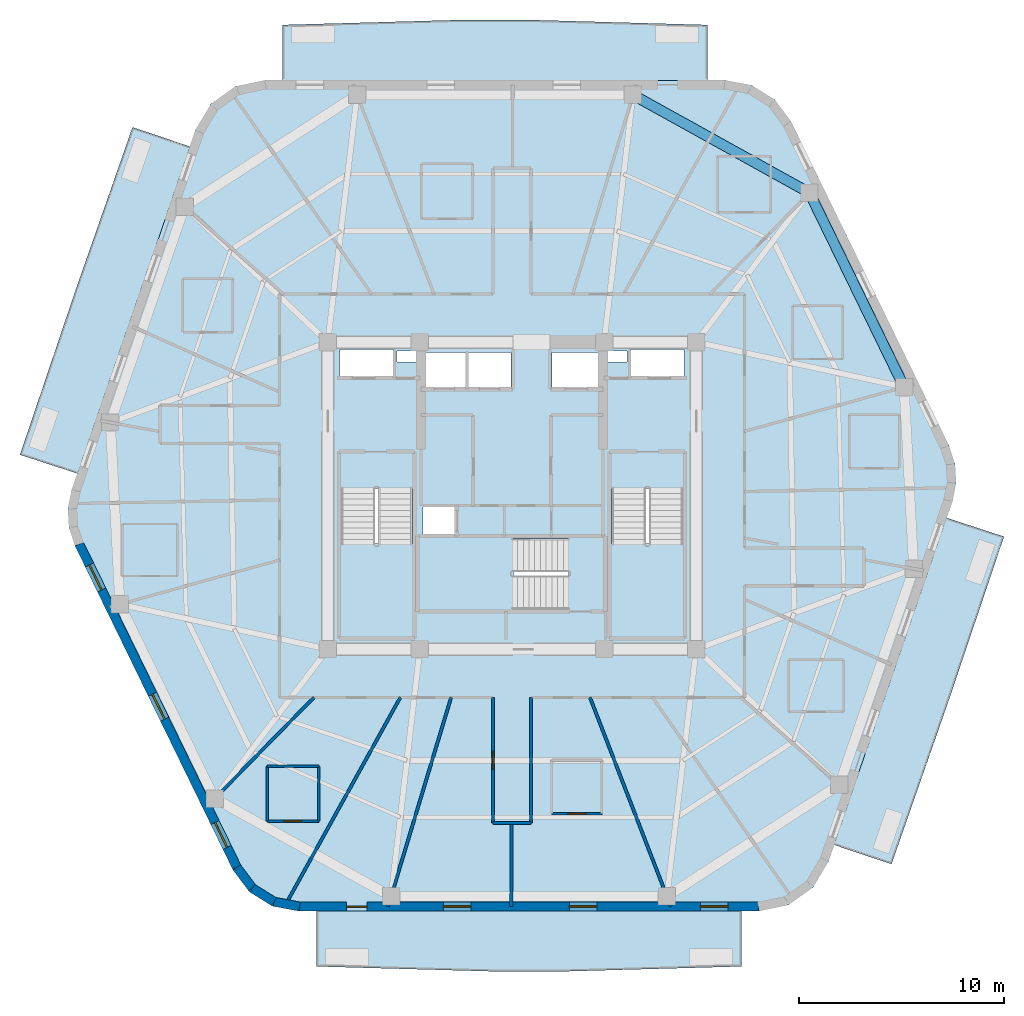
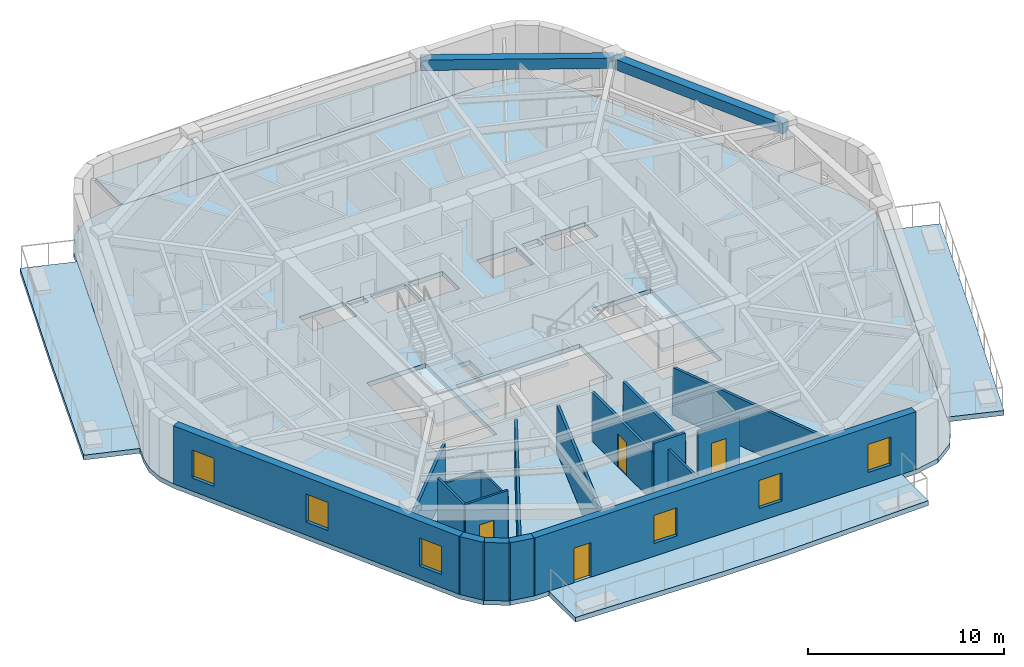
# One storey, part 2 of 9: 18 walls, 8 slabs, 6 windows, 4 doors, 2 beams, 10 openings, 3 elements without a shape of their own.
"""IFC4 building model written with IfcOpenShell, lengths in metres."""

from ifc_helpers import new_model, si_unit, direction, frame, frame_2d, origin, origin_2d, place, context, subcontext, project, spatial, polyline, rectangle, outline, extrude, material, layer, layer_set, material_profile, profile_set, type_object, element, fill, aggregate, save


model = new_model("IFC4")

# Units and contexts
model_context = context("Model", 3, precision=1e-05, world=origin(), true_north=direction((0.0, 1.0)))
body_context = subcontext(model_context, "Body", "Model", "MODEL_VIEW")
ifc_project = project(units=[si_unit("LENGTHUNIT", "METRE"), si_unit("AREAUNIT", "SQUARE_METRE"), si_unit("VOLUMEUNIT", "CUBIC_METRE"), si_unit("PLANEANGLEUNIT", "RADIAN"), si_unit("MASSUNIT", "GRAM", prefix="KILO")], contexts=[model_context])

# Site, building, storey
site_placement = place(None, origin())
site = spatial("IfcSite", under=ifc_project, at=site_placement, CompositionType="ELEMENT")
building_placement = place(site_placement, origin())
building = spatial("IfcBuilding", under=site, at=building_placement, Name="Kilnhurst Terrace Hotel", CompositionType="ELEMENT")
storey_placement = place(building_placement, frame((0.0, 0.0, 261.300048828125)))
storey = spatial("IfcBuildingStorey", under=building, at=storey_placement, Name="L65", CompositionType="ELEMENT", Elevation=261.300048828125)

# Beams
ifc_material_1 = material(Name="Concrete C50/60", Category="concrete")
ifc_material_profile = material_profile(ifc_material_1, rectangle(XDim=0.5, YDim=0.64990234375, at=origin_2d()), Name="RC500X650")
ifc_profile_set = profile_set([ifc_material_profile], Name="Concrete C50/60")
beam_type = type_object("IfcBeamType", Name="BM-SPN-500X650", PredefinedType="SPANDREL", material=ifc_profile_set)
beam_1_placement = place(storey_placement, frame((19.157958984375, 5.304931640625, 3.27490234375), z_axis=(-0.438128464895, 0.898912369616, 0.0), x_axis=(-0.898912369616, -0.438128464895, 0.0)))
element("IfcBeam", 1, at=beam_1_placement, inside=storey, type_object=beam_type, Name="L65 Perimeter Spandrel Beam 5", PredefinedType="SPANDREL", context=body_context, shape_type="SweptSolid", body=[
    extrude(rectangle(XDim=0.5, YDim=0.64990234375, at=origin_2d()), origin(), (0.0, 0.0, 1.0), 10.560791015625),
])
beam_2_placement = place(storey_placement, frame((14.531005859375, 14.798095703125, 3.27490234375), z_axis=(-0.874527255888, 0.484976369227, 0.0), x_axis=(-0.484976369227, -0.874527255888, 0.0)))
element("IfcBeam", 2, at=beam_2_placement, inside=storey, type_object=beam_type, Name="L65 Perimeter Spandrel Beam 6", PredefinedType="SPANDREL", context=body_context, shape_type="SweptSolid", body=[
    extrude(rectangle(XDim=0.5, YDim=0.64990234375, at=origin_2d()), origin(), (0.0, 0.0, 1.0), 9.8603515625),
])

# Slabs
ifc_layer_1 = layer(ifc_material_1, 0.300048828125, Name="Concrete C50/60")
ifc_layer_set_1 = layer_set([ifc_layer_1], Name="Concrete C50/60")
slab_type_1 = type_object("IfcSlabType", Name="SLB-BAL-300", PredefinedType="FLOOR", material=ifc_layer_set_1)
slab_1_placement = place(storey_placement, frame((0.0, 0.0, -0.300048828125)))
element("IfcSlab", 3, at=slab_1_placement, inside=storey, type_object=slab_type_1, Name="L65 Cantilevered Planted Terrace Slab BAL-L1A", PredefinedType="FLOOR", context=body_context, shape_type="SweptSolid", body=[
    extrude(outline(polyline([(2.62060546875, -23.239990234375), (-0.958984375, -23.239990234375), (-9.5498046875, -23.0), (-9.5498046875, -20.280029296875), (11.211669921875, -20.280029296875), (11.211669921875, -23.0), (2.62060546875, -23.239990234375)])), origin(), (0.0, 0.0, 1.0), 0.300048828125),
])
slab_2_placement = place(storey_placement, frame((0.0, 0.0, -0.300048828125)))
element("IfcSlab", 4, at=slab_2_placement, inside=storey, type_object=slab_type_1, Name="L65 Cantilevered Planted Terrace Slab BAL-L1B", PredefinedType="FLOOR", context=body_context, shape_type="SweptSolid", body=[
    extrude(outline(polyline([(18.541259765625, -18.0), (15.725341796875, -17.0556640625), (21.223388671875, -1.0791015625), (24.037353515625, -2.0), (21.317626953125, -10.054931640625), (18.541259765625, -18.0)])), origin(), (0.0, 0.0, 1.0), 0.300048828125),
])
slab_3_placement = place(storey_placement, frame((0.0, 0.0, -0.300048828125)))
element("IfcSlab", 5, at=slab_3_placement, inside=storey, type_object=slab_type_1, Name="L65 Cantilevered Planted Terrace Slab BAL-L2A", PredefinedType="FLOOR", context=body_context, shape_type="SweptSolid", body=[
    extrude(outline(polyline([(0.958984375, 23.239990234375), (9.5498046875, 23.0), (9.5498046875, 20.280029296875), (-11.211669921875, 20.280029296875), (-11.211669921875, 23.0), (-2.62060546875, 23.239990234375), (0.958984375, 23.239990234375)])), origin(), (0.0, 0.0, 1.0), 0.300048828125),
])
slab_4_placement = place(storey_placement, frame((0.0, 0.0, -0.300048828125)))
element("IfcSlab", 6, at=slab_4_placement, inside=storey, type_object=slab_type_1, Name="L65 Cantilevered Planted Terrace Slab BAL-L2B", PredefinedType="FLOOR", context=body_context, shape_type="SweptSolid", body=[
    extrude(outline(polyline([(-18.541259765625, 18.0), (-15.725341796875, 17.0556640625), (-21.223388671875, 1.0791015625), (-24.037353515625, 2.0), (-21.317626953125, 10.054931640625), (-18.541259765625, 18.0)])), origin(), (0.0, 0.0, 1.0), 0.300048828125),
])
ifc_layer_2 = layer(ifc_material_1, 0.280029296875, Name="Concrete C50/60")
ifc_layer_set_2 = layer_set([ifc_layer_2], Name="Concrete C50/60")
slab_type_2 = type_object("IfcSlabType", Name="SLB-FLR-280", PredefinedType="FLOOR", material=ifc_layer_set_2)
slab_5_placement = place(storey_placement, frame((0.0, 0.0, -0.280029296875)))
element("IfcSlab", 7, at=slab_5_placement, inside=storey, type_object=slab_type_2, Name="L65 Structural Floor Slab", PredefinedType="FLOOR", context=body_context, shape_type="SweptSolid", body=[
    extrude(outline(polyline([(-13.635986328125, -18.27734375), (-12.840087890625, -19.3466796875), (-11.709716796875, -20.05322265625), (-10.39990234375, -20.300048828125), (12.061767578125, -20.300048828125), (13.5068359375, -19.9970703125), (14.708984375, -19.139404296875), (15.4658203125, -17.871337890625), (21.51513671875, -0.29248046875), (21.7021484375, 0.627685546875), (21.64501953125, 1.565185546875), (21.34716796875, 2.4560546875), (13.635986328125, 18.27734375), (12.840087890625, 19.3466796875), (11.709716796875, 20.05322265625), (10.39990234375, 20.300048828125), (-12.061767578125, 20.300048828125), (-13.5068359375, 19.9970703125), (-14.708984375, 19.139404296875), (-15.4658203125, 17.871337890625), (-21.51513671875, 0.29248046875), (-21.7021484375, -0.627685546875), (-21.64501953125, -1.565185546875), (-21.34716796875, -2.4560546875), (-13.635986328125, -18.27734375)]), holes=[polyline([(-8.35009765625, 0.35498046875), (-4.8798828125, 0.35498046875), (-4.8798828125, -6.89990234375), (-8.35009765625, -6.89990234375), (-8.35009765625, 0.35498046875)]), polyline([(-2.800048828125, -1.89990234375), (-4.35009765625, -1.89990234375), (-4.35009765625, -0.550048828125), (-2.800048828125, -0.550048828125), (-2.800048828125, -1.89990234375)]), polyline([(-2.25, 5.25), (-4.300048828125, 5.25), (-4.300048828125, 7.0), (-2.25, 7.0), (-2.25, 5.25)]), polyline([(-2.1201171875, 5.25), (-2.1201171875, 7.0), (-0.050048828125, 7.0), (-0.050048828125, 5.25), (-2.1201171875, 5.25)]), polyline([(-8.39990234375, 5.75), (-8.39990234375, 7.14990234375), (-5.800048828125, 7.14990234375), (-5.800048828125, 5.75), (-8.39990234375, 5.75)]), polyline([(-4.659912109375, 6.52001953125), (-5.6201171875, 6.52001953125), (-5.6201171875, 7.080078125), (-4.659912109375, 7.080078125), (-4.659912109375, 6.52001953125)]), polyline([(2.7548828125, -5.550048828125), (-4.5, -5.550048828125), (-4.5, -2.080078125), (2.7548828125, -2.080078125), (2.7548828125, -5.550048828125)]), polyline([(8.35009765625, 0.35498046875), (8.35009765625, -6.89990234375), (4.8798828125, -6.89990234375), (4.8798828125, 0.35498046875), (8.35009765625, 0.35498046875)]), polyline([(4.300048828125, 5.25), (1.949951171875, 5.25), (1.949951171875, 7.0), (4.300048828125, 7.0), (4.300048828125, 5.25)]), polyline([(5.800048828125, 5.75), (5.800048828125, 7.14990234375), (8.39990234375, 7.14990234375), (8.39990234375, 5.75), (5.800048828125, 5.75)]), polyline([(4.659912109375, 6.52001953125), (4.659912109375, 7.080078125), (5.6201171875, 7.080078125), (5.6201171875, 6.52001953125), (4.659912109375, 6.52001953125)])]), origin(), (0.0, 0.0, 1.0), 0.280029296875),
])

# Stair, slab
stair_type = type_object("IfcStairType", Name="STR-CORE-1660", PredefinedType="HALF_TURN_STAIR", material=ifc_material_1)
stair_1_placement = place(storey_placement, origin())
stair_1 = element("IfcStair", 8, at=stair_1_placement, inside=storey, type_object=stair_type, Name="L65 ST-1", PredefinedType="HALF_TURN_STAIR")
ifc_layer_3 = layer(ifc_material_1, 0.199951171875, Name="Concrete C50/60")
ifc_layer_set_3 = layer_set([ifc_layer_3], Name="Concrete C50/60")
slab_type_3 = type_object("IfcSlabType", Name="SLB-ST-LND-200", PredefinedType="LANDING", material=ifc_layer_set_3)
slab_6_placement = place(storey_placement, frame((0.0, 0.0, 1.75)))
slab_6 = element("IfcSlab", 9, at=slab_6_placement, type_object=slab_type_3, Name="ST-1 landing 1", PredefinedType="LANDING", context=body_context, shape_type="SweptSolid", body=[
    extrude(outline(polyline([(-8.429931640625, -2.330078125), (-4.800048828125, -2.330078125), (-4.800048828125, -6.97998046875), (-8.429931640625, -6.97998046875), (-8.429931640625, -2.330078125)])), origin(), (0.0, 0.0, 1.0), 0.199951171875),
])
aggregate(stair_1, [slab_6])

stair_2_placement = place(storey_placement, origin())
stair_2 = element("IfcStair", 10, at=stair_2_placement, inside=storey, type_object=stair_type, Name="L65 ST-2", PredefinedType="HALF_TURN_STAIR")
slab_7_placement = place(storey_placement, frame((0.0, 0.0, 1.75)))
slab_7 = element("IfcSlab", 11, at=slab_7_placement, type_object=slab_type_3, Name="ST-2 landing 1", PredefinedType="LANDING", context=body_context, shape_type="SweptSolid", body=[
    extrude(outline(polyline([(4.800048828125, -2.330078125), (8.429931640625, -2.330078125), (8.429931640625, -6.97998046875), (4.800048828125, -6.97998046875), (4.800048828125, -2.330078125)])), origin(), (0.0, 0.0, 1.0), 0.199951171875),
])
aggregate(stair_2, [slab_7])

stair_3_placement = place(storey_placement, origin())
stair_3 = element("IfcStair", 12, at=stair_3_placement, inside=storey, type_object=stair_type, Name="L65 ST-3", PredefinedType="HALF_TURN_STAIR")
slab_8_placement = place(storey_placement, frame((0.0, 0.0, 1.75)))
slab_8 = element("IfcSlab", 13, at=slab_8_placement, type_object=slab_type_3, Name="ST-3 landing 1", PredefinedType="LANDING", context=body_context, shape_type="SweptSolid", body=[
    extrude(outline(polyline([(0.070068359375, -2.0), (0.070068359375, -5.6298828125), (-4.580078125, -5.6298828125), (-4.580078125, -2.0), (0.070068359375, -2.0)])), origin(), (0.0, 0.0, 1.0), 0.199951171875),
])
aggregate(stair_3, [slab_8])

# Walls
ifc_material_2 = material(Name="Precast concrete C40/50", Category="concrete")
ifc_layer_4 = layer(ifc_material_2, 0.449951171875, Name="Precast concrete C40/50")
ifc_layer_set_4 = layer_set([ifc_layer_4], Name="Precast concrete C40/50")
wall_type_1 = type_object("IfcWallType", Name="WL-BRK-450", PredefinedType="SOLIDWALL", material=ifc_layer_set_4)
wall_1_placement = place(storey_placement, frame((-13.44287109375, -18.159912109375, 0.0), z_axis=(0.0, 0.0, 1.0), x_axis=(0.597042425808, -0.802209661987, 0.0)))
element("IfcWall", 14, at=wall_1_placement, inside=storey, type_object=wall_type_1, Name="L65 Rounded Corner Brick Wall C1.1", PredefinedType="SOLIDWALL", context=body_context, shape_type="SweptSolid", body=[
    extrude(rectangle(XDim=1.269775390625, YDim=0.449951171875, at=frame_2d((0.634765625, 0.0))), origin(), (0.0, 0.0, 1.0), 3.599853515625),
])
wall_2_placement = place(storey_placement, frame((-12.684814453125, -19.178466796875, 0.0), z_axis=(0.0, 0.0, 1.0), x_axis=(0.848031272749, -0.529946186362, 0.0)))
element("IfcWall", 15, at=wall_2_placement, inside=storey, type_object=wall_type_1, Name="L65 Rounded Corner Brick Wall C1.2", PredefinedType="SOLIDWALL", context=body_context, shape_type="SweptSolid", body=[
    extrude(rectangle(XDim=1.248046875, YDim=0.449951171875, at=frame_2d((0.6240234375, 0.0))), origin(), (0.0, 0.0, 1.0), 3.599853515625),
])
wall_3_placement = place(storey_placement, frame((-11.62646484375, -19.83984375, 0.0), z_axis=(0.0, 0.0, 1.0), x_axis=(0.982701956681, -0.185194126083, 0.0)))
element("IfcWall", 16, at=wall_3_placement, inside=storey, type_object=wall_type_1, Name="L65 Rounded Corner Brick Wall C1.3", PredefinedType="SOLIDWALL", context=body_context, shape_type="SweptSolid", body=[
    extrude(rectangle(XDim=1.26953125, YDim=0.449951171875, at=frame_2d((0.634765625, 0.0))), origin(), (0.0, 0.0, 1.0), 3.599853515625),
])

# Wall, openings, door, windows
wall_4_placement = place(storey_placement, frame((-10.37890625, -20.074951171875, 0.0), z_axis=(0.0, 0.0, 1.0), x_axis=(1.0, 0.0, 0.0)))
wall_4 = element("IfcWall", 17, at=wall_4_placement, inside=storey, type_object=wall_type_1, Name="L65 Exterior Brick Facade Wall F1", PredefinedType="SOLIDWALL", context=body_context, shape_type="SweptSolid", body=[
    extrude(rectangle(XDim=22.417236328125, YDim=0.449951171875, at=frame_2d((11.20849609375, 0.0))), origin(), (0.0, 0.0, 1.0), 3.599853515625),
])
opening_1_placement = place(wall_4_placement, frame((2.302001953125, 0.0, 0.0)))
opening_1 = element("IfcOpeningElement", 18, at=opening_1_placement, cuts=wall_4, Name="Opening BD-1000", PredefinedType="OPENING", context=body_context, shape_type="SweptSolid", body=[
    extrude(rectangle(XDim=1.0, YDim=2.14990234375, at=frame_2d((0.5, 1.074951171875))), frame((0.0, 0.23486328125, 0.0), z_axis=(0.0, -1.0, 0.0), x_axis=(1.0, 0.0, 0.0)), (0.0, 0.0, 1.0), 0.469970703125),
])
opening_2_placement = place(wall_4_placement, frame((7.02197265625, 0.0, 0.800048828125)))
opening_2 = element("IfcOpeningElement", 19, at=opening_2_placement, cuts=wall_4, Name="Opening W-06", PredefinedType="OPENING", context=body_context, shape_type="SweptSolid", body=[
    extrude(rectangle(XDim=1.35009765625, YDim=1.75, at=frame_2d((0.675048828125, 0.875))), frame((0.0, 0.23486328125, 0.0), z_axis=(0.0, -1.0, 0.0), x_axis=(1.0, 0.0, 0.0)), (0.0, 0.0, 1.0), 0.469970703125),
])
opening_3_placement = place(wall_4_placement, frame((13.179931640625, 0.0, 0.800048828125)))
opening_3 = element("IfcOpeningElement", 20, at=opening_3_placement, cuts=wall_4, Name="Opening W-06", PredefinedType="OPENING", context=body_context, shape_type="SweptSolid", body=[
    extrude(rectangle(XDim=1.35009765625, YDim=1.75, at=frame_2d((0.675048828125, 0.875))), frame((0.0, 0.23486328125, 0.0), z_axis=(0.0, -1.0, 0.0), x_axis=(1.0, 0.0, 0.0)), (0.0, 0.0, 1.0), 0.469970703125),
])
opening_4_placement = place(wall_4_placement, frame((19.5869140625, 0.0, 0.800048828125)))
opening_4 = element("IfcOpeningElement", 21, at=opening_4_placement, cuts=wall_4, Name="Opening W-06", PredefinedType="OPENING", context=body_context, shape_type="SweptSolid", body=[
    extrude(rectangle(XDim=1.35009765625, YDim=1.75, at=frame_2d((0.675048828125, 0.875))), frame((0.0, 0.23486328125, 0.0), z_axis=(0.0, -1.0, 0.0), x_axis=(1.0, 0.0, 0.0)), (0.0, 0.0, 1.0), 0.469970703125),
])
ifc_material_3 = material(Name="Thermally Broken Bronze Aluminium Alloy 6063-T6 and Laminated Glass", Category="aluminium")
door_type_1 = type_object("IfcDoorType", Name="DR-EXT-BAL-1000", OperationType="NOTDEFINED", PredefinedType="DOOR", material=ifc_material_3)
door_1_placement = place(opening_1_placement, origin())
door_1 = element("IfcDoor", 22, at=door_1_placement, inside=storey, type_object=door_type_1, Name="L65 Planted Balcony Door BAL-L1A", OperationType="SINGLE_SWING_LEFT", OverallHeight=2.14990234375, OverallWidth=1.0, PredefinedType="DOOR", context=body_context, shape_type="SweptSolid", body=[
    extrude(rectangle(XDim=1.0, YDim=2.14990234375, at=frame_2d((0.5, 1.074951171875))), frame((0.0, 0.02490234375, 0.0), z_axis=(0.0, -1.0, 0.0), x_axis=(1.0, 0.0, 0.0)), (0.0, 0.0, 1.0), 0.050048828125),
])
fill(opening_1, door_1)
ifc_material_4 = material(Name="Thermally Broken Bronze Aluminium Alloy 6063-T6 and Low-E Glass", Category="aluminium")
window_type = type_object("IfcWindowType", Name="WIN-1350X1750", PartitioningType="SINGLE_PANEL", PredefinedType="WINDOW", material=ifc_material_4)
window_1_placement = place(opening_2_placement, origin())
window_1 = element("IfcWindow", 23, at=window_1_placement, inside=storey, type_object=window_type, Name="L65 Deep-Set Masonry Window F1.1", OverallHeight=1.75, OverallWidth=1.35009765625, PartitioningType="SINGLE_PANEL", PredefinedType="WINDOW", context=body_context, shape_type="SweptSolid", body=[
    extrude(rectangle(XDim=1.35009765625, YDim=1.75, at=frame_2d((0.675048828125, 0.875))), frame((0.0, 0.030029296875, 0.0), z_axis=(0.0, -1.0, 0.0), x_axis=(1.0, 0.0, 0.0)), (0.0, 0.0, 1.0), 0.06005859375),
])
fill(opening_2, window_1)
window_2_placement = place(opening_3_placement, origin())
window_2 = element("IfcWindow", 24, at=window_2_placement, inside=storey, type_object=window_type, Name="L65 Deep-Set Masonry Window F1.2", OverallHeight=1.75, OverallWidth=1.35009765625, PartitioningType="SINGLE_PANEL", PredefinedType="WINDOW", context=body_context, shape_type="SweptSolid", body=[
    extrude(rectangle(XDim=1.35009765625, YDim=1.75, at=frame_2d((0.675048828125, 0.875))), frame((0.0, 0.030029296875, 0.0), z_axis=(0.0, -1.0, 0.0), x_axis=(1.0, 0.0, 0.0)), (0.0, 0.0, 1.0), 0.06005859375),
])
fill(opening_3, window_2)
window_3_placement = place(opening_4_placement, origin())
window_3 = element("IfcWindow", 25, at=window_3_placement, inside=storey, type_object=window_type, Name="L65 Deep-Set Masonry Window F1.3", OverallHeight=1.75, OverallWidth=1.35009765625, PartitioningType="SINGLE_PANEL", PredefinedType="WINDOW", context=body_context, shape_type="SweptSolid", body=[
    extrude(rectangle(XDim=1.35009765625, YDim=1.75, at=frame_2d((0.675048828125, 0.875))), frame((0.0, 0.030029296875, 0.0), z_axis=(0.0, -1.0, 0.0), x_axis=(1.0, 0.0, 0.0)), (0.0, 0.0, 1.0), 0.06005859375),
])
fill(opening_4, window_3)

# Wall, openings, windows
wall_5_placement = place(storey_placement, frame((-21.138427734375, -2.370849609375, 0.0), z_axis=(0.0, 0.0, 1.0), x_axis=(0.438128124058, -0.89891253574, 0.0)))
wall_5 = element("IfcWall", 26, at=wall_5_placement, inside=storey, type_object=wall_type_1, Name="L65 Exterior Brick Facade Wall F6", PredefinedType="SOLIDWALL", context=body_context, shape_type="SweptSolid", body=[
    extrude(rectangle(XDim=17.564697265625, YDim=0.449951171875, at=frame_2d((8.7822265625, 0.0))), origin(), (0.0, 0.0, 1.0), 3.599853515625),
])
opening_5_placement = place(wall_5_placement, frame((1.133056640625, 0.0, 0.800048828125)))
opening_5 = element("IfcOpeningElement", 27, at=opening_5_placement, cuts=wall_5, Name="Opening W-06", PredefinedType="OPENING", context=body_context, shape_type="SweptSolid", body=[
    extrude(rectangle(XDim=1.35009765625, YDim=1.75, at=frame_2d((0.675048828125, 0.875))), frame((0.0, 0.23486328125, 0.0), z_axis=(0.0, -1.0, 0.0), x_axis=(1.0, 0.0, 0.0)), (0.0, 0.0, 1.0), 0.469970703125),
])
opening_6_placement = place(wall_5_placement, frame((8.157958984375, 0.0, 0.800048828125)))
opening_6 = element("IfcOpeningElement", 28, at=opening_6_placement, cuts=wall_5, Name="Opening W-06", PredefinedType="OPENING", context=body_context, shape_type="SweptSolid", body=[
    extrude(rectangle(XDim=1.35009765625, YDim=1.75, at=frame_2d((0.675048828125, 0.875))), frame((0.0, 0.23486328125, 0.0), z_axis=(0.0, -1.0, 0.0), x_axis=(1.0, 0.0, 0.0)), (0.0, 0.0, 1.0), 0.469970703125),
])
opening_7_placement = place(wall_5_placement, frame((15.132080078125, 0.0, 0.800048828125)))
opening_7 = element("IfcOpeningElement", 29, at=opening_7_placement, cuts=wall_5, Name="Opening W-06", PredefinedType="OPENING", context=body_context, shape_type="SweptSolid", body=[
    extrude(rectangle(XDim=1.35009765625, YDim=1.75, at=frame_2d((0.675048828125, 0.875))), frame((0.0, 0.23486328125, 0.0), z_axis=(0.0, -1.0, 0.0), x_axis=(1.0, 0.0, 0.0)), (0.0, 0.0, 1.0), 0.469970703125),
])
window_4_placement = place(opening_5_placement, origin())
window_4 = element("IfcWindow", 30, at=window_4_placement, inside=storey, type_object=window_type, Name="L65 Deep-Set Masonry Window F6.1", OverallHeight=1.75, OverallWidth=1.35009765625, PartitioningType="SINGLE_PANEL", PredefinedType="WINDOW", context=body_context, shape_type="SweptSolid", body=[
    extrude(rectangle(XDim=1.35009765625, YDim=1.75, at=frame_2d((0.675048828125, 0.875))), frame((0.0, 0.030029296875, 0.0), z_axis=(0.0, -1.0, 0.0), x_axis=(1.0, 0.0, 0.0)), (0.0, 0.0, 1.0), 0.06005859375),
])
fill(opening_5, window_4)
window_5_placement = place(opening_6_placement, origin())
window_5 = element("IfcWindow", 31, at=window_5_placement, inside=storey, type_object=window_type, Name="L65 Deep-Set Masonry Window F6.2", OverallHeight=1.75, OverallWidth=1.35009765625, PartitioningType="SINGLE_PANEL", PredefinedType="WINDOW", context=body_context, shape_type="SweptSolid", body=[
    extrude(rectangle(XDim=1.35009765625, YDim=1.75, at=frame_2d((0.675048828125, 0.875))), frame((0.0, 0.030029296875, 0.0), z_axis=(0.0, -1.0, 0.0), x_axis=(1.0, 0.0, 0.0)), (0.0, 0.0, 1.0), 0.06005859375),
])
fill(opening_6, window_5)
window_6_placement = place(opening_7_placement, origin())
window_6 = element("IfcWindow", 32, at=window_6_placement, inside=storey, type_object=window_type, Name="L65 Deep-Set Masonry Window F6.3", OverallHeight=1.75, OverallWidth=1.35009765625, PartitioningType="SINGLE_PANEL", PredefinedType="WINDOW", context=body_context, shape_type="SweptSolid", body=[
    extrude(rectangle(XDim=1.35009765625, YDim=1.75, at=frame_2d((0.675048828125, 0.875))), frame((0.0, 0.030029296875, 0.0), z_axis=(0.0, -1.0, 0.0), x_axis=(1.0, 0.0, 0.0)), (0.0, 0.0, 1.0), 0.06005859375),
])
fill(opening_7, window_6)

# Walls
ifc_material_5 = material(Name="Acoustic Double-Gypsum Corridor Partition Assembly")
ifc_layer_5 = layer(ifc_material_5, 0.14990234375, Name="Acoustic Double-Gypsum Corridor Partition Assembly")
ifc_layer_set_5 = layer_set([ifc_layer_5], Name="Acoustic Double-Gypsum Corridor Partition Assembly")
wall_type_2 = type_object("IfcWallType", Name="WL-COR-150", PredefinedType="PARTITIONING", material=ifc_layer_set_5)
wall_6_placement = place(storey_placement, frame((0.919921875, -9.85009765625, 0.0), z_axis=(0.0, 0.0, 1.0), x_axis=(0.0, -1.0, 0.0)))
element("IfcWall", 33, at=wall_6_placement, inside=storey, type_object=wall_type_2, Name="L65 Interior Wall WL-L65-COR-17", PredefinedType="PARTITIONING", context=body_context, shape_type="SweptSolid", body=[
    extrude(rectangle(XDim=6.14990234375, YDim=0.14990234375, at=frame_2d((3.074951171875, 0.0))), origin(), (0.0, 0.0, 1.0), 3.04052734375),
])
wall_7_placement = place(storey_placement, frame((0.919921875, -16.0, 0.0), z_axis=(0.0, 0.0, 1.0), x_axis=(-1.0, 0.0, 0.0)))
element("IfcWall", 34, at=wall_7_placement, inside=storey, type_object=wall_type_2, Name="L65 Interior Wall WL-L65-COR-18", PredefinedType="PARTITIONING", context=body_context, shape_type="SweptSolid", body=[
    extrude(rectangle(XDim=1.83984375, YDim=0.14990234375, at=frame_2d((0.919921875, 0.0))), origin(), (0.0, 0.0, 1.0), 3.599853515625),
])

# Wall, opening, door
wall_8_placement = place(storey_placement, frame((-0.919921875, -16.0, 0.0), z_axis=(0.0, 0.0, 1.0), x_axis=(0.0, 1.0, 0.0)))
wall_8 = element("IfcWall", 35, at=wall_8_placement, inside=storey, type_object=wall_type_2, Name="L65 Interior Wall WL-L65-COR-19", PredefinedType="PARTITIONING", context=body_context, shape_type="SweptSolid", body=[
    extrude(rectangle(XDim=6.14990234375, YDim=0.14990234375, at=frame_2d((3.074951171875, 0.0))), origin(), (0.0, 0.0, 1.0), 3.04052734375),
])
opening_8_placement = place(wall_8_placement, frame((2.625, 0.0, 0.0)))
opening_8 = element("IfcOpeningElement", 36, at=opening_8_placement, cuts=wall_8, Name="Opening D-60C", PredefinedType="OPENING", context=body_context, shape_type="SweptSolid", body=[
    extrude(rectangle(XDim=0.89990234375, YDim=2.030029296875, at=frame_2d((0.449951171875, 1.01513671875))), frame((0.0, 0.0849609375, 0.0), z_axis=(0.0, -1.0, 0.0), x_axis=(1.0, 0.0, 0.0)), (0.0, 0.0, 1.0), 0.169921875),
])
ifc_material_6 = material(Name="Painted Solid-Core Service Fire Door")
door_type_2 = type_object("IfcDoorType", Name="DR-FD60-900", OperationType="NOTDEFINED", PredefinedType="DOOR", material=ifc_material_6)
door_2_placement = place(opening_8_placement, origin())
door_2 = element("IfcDoor", 37, at=door_2_placement, inside=storey, type_object=door_type_2, Name="L65 Executive Work Office Door 16", OperationType="SINGLE_SWING_RIGHT", OverallHeight=2.030029296875, OverallWidth=0.89990234375, PredefinedType="DOOR", context=body_context, shape_type="SweptSolid", body=[
    extrude(rectangle(XDim=0.89990234375, YDim=2.030029296875, at=frame_2d((0.449951171875, 1.01513671875))), frame((0.0, 0.02490234375, 0.0), z_axis=(0.0, -1.0, 0.0), x_axis=(1.0, 0.0, 0.0)), (0.0, 0.0, 1.0), 0.050048828125),
])
fill(opening_8, door_2)

# Walls
ifc_material_7 = material(Name="STC-58 Acoustic Twin-Frame Guestroom Demising Partition")
ifc_layer_6 = layer(ifc_material_7, 0.14990234375, Name="STC-58 Acoustic Twin-Frame Guestroom Demising Partition")
ifc_layer_set_6 = layer_set([ifc_layer_6], Name="STC-58 Acoustic Twin-Frame Guestroom Demising Partition")
wall_type_3 = type_object("IfcWallType", Name="WL-DEM-150", PredefinedType="PARTITIONING", material=ifc_layer_set_6)
wall_9_placement = place(storey_placement, frame((-9.67236328125, -9.85009765625, 0.0), z_axis=(0.0, 0.0, 1.0), x_axis=(-0.700629771301, -0.713524998558, 0.0)))
element("IfcWall", 38, at=wall_9_placement, inside=storey, type_object=wall_type_3, Name="L65 Interior Wall WL-L65-DEM-COL08-14-1", PredefinedType="PARTITIONING", context=body_context, shape_type="SweptSolid", body=[
    extrude(rectangle(XDim=7.45947265625, YDim=0.14990234375, at=frame_2d((3.729736328125, 0.0))), origin(), (0.0, 0.0, 1.0), 2.93994140625),
])
wall_10_placement = place(storey_placement, frame((-5.453857421875, -9.85009765625, 0.0), z_axis=(0.0, 0.0, 1.0), x_axis=(-0.48439420613, -0.874849846012, 0.0)))
element("IfcWall", 39, at=wall_10_placement, inside=storey, type_object=wall_type_3, Name="L65 Interior Wall WL-L65-DEM-MID08-15-1", PredefinedType="PARTITIONING", context=body_context, shape_type="SweptSolid", body=[
    extrude(rectangle(XDim=11.37548828125, YDim=0.14990234375, at=frame_2d((5.687744140625, 0.0))), origin(), (0.0, 0.0, 1.0), 2.93994140625),
])
wall_11_placement = place(storey_placement, frame((-2.97216796875, -9.85009765625, 0.0), z_axis=(0.0, 0.0, 1.0), x_axis=(-0.288872169679, -0.957367677324, 0.0)))
element("IfcWall", 40, at=wall_11_placement, inside=storey, type_object=wall_type_3, Name="L65 Interior Wall WL-L65-DEM-COL09-16-1", PredefinedType="PARTITIONING", context=body_context, shape_type="SweptSolid", body=[
    extrude(rectangle(XDim=10.68017578125, YDim=0.14990234375, at=frame_2d((5.340087890625, 0.0))), origin(), (0.0, 0.0, 1.0), 2.93994140625),
])
wall_12_placement = place(storey_placement, frame((-0.02880859375, -16.0, 0.0), z_axis=(0.0, 0.0, 1.0), x_axis=(-0.001797372928, -0.999998384724, 0.0)))
element("IfcWall", 41, at=wall_12_placement, inside=storey, type_object=wall_type_3, Name="L65 Interior Wall WL-L65-DEM-MID09-17-1", PredefinedType="PARTITIONING", context=body_context, shape_type="SweptSolid", body=[
    extrude(rectangle(XDim=4.074951171875, YDim=0.14990234375, at=frame_2d((2.03759765625, 0.0))), origin(), (0.0, 0.0, 1.0), 2.93994140625),
])
wall_13_placement = place(storey_placement, frame((3.8076171875, -9.85009765625, 0.0), z_axis=(0.0, 0.0, 1.0), x_axis=(0.360587327934, -0.932725457427, 0.0)))
element("IfcWall", 42, at=wall_13_placement, inside=storey, type_object=wall_type_3, Name="L65 Interior Wall WL-L65-DEM-COL10-18-1", PredefinedType="PARTITIONING", context=body_context, shape_type="SweptSolid", body=[
    extrude(rectangle(XDim=10.96240234375, YDim=0.14990234375, at=frame_2d((5.481201171875, 0.0))), origin(), (0.0, 0.0, 1.0), 2.93994140625),
])

# Wall, opening, door
ifc_material_8 = material(Name="120 mm Moisture-Resistant Tile-Backed Bathroom Partition")
ifc_layer_7 = layer(ifc_material_8, 0.1201171875, Name="120 mm Moisture-Resistant Tile-Backed Bathroom Partition")
ifc_layer_set_7 = layer_set([ifc_layer_7], Name="120 mm Moisture-Resistant Tile-Backed Bathroom Partition")
wall_type_4 = type_object("IfcWallType", Name="WL-PART-120", PredefinedType="PARTITIONING", material=ifc_layer_set_7)
wall_14_placement = place(storey_placement, frame((-11.958984375, -15.905029296875, 0.0), z_axis=(0.0, 0.0, 1.0), x_axis=(1.0, 0.0, 0.0)))
wall_14 = element("IfcWall", 43, at=wall_14_placement, inside=storey, type_object=wall_type_4, Name="L65 Interior Wall WL-L65-BTH-14-1", PredefinedType="PARTITIONING", context=body_context, shape_type="SweptSolid", body=[
    extrude(rectangle(XDim=2.52001953125, YDim=0.1201171875, at=frame_2d((1.260009765625, 0.0))), origin(), (0.0, 0.0, 1.0), 3.599853515625),
])
opening_9_placement = place(wall_14_placement, frame((0.8349609375, 0.0, 0.0)))
opening_9 = element("IfcOpeningElement", 44, at=opening_9_placement, cuts=wall_14, Name="Opening D-08A", PredefinedType="OPENING", context=body_context, shape_type="SweptSolid", body=[
    extrude(rectangle(XDim=0.85009765625, YDim=2.030029296875, at=frame_2d((0.425048828125, 1.01513671875))), frame((0.0, 0.070068359375, 0.0), z_axis=(0.0, -1.0, 0.0), x_axis=(1.0, 0.0, 0.0)), (0.0, 0.0, 1.0), 0.14013671875),
])
ifc_material_9 = material(Name="Moisture-Resistant Lacquered En-suite Bathroom Door")
door_type_3 = type_object("IfcDoorType", Name="DR-INT-850", OperationType="NOTDEFINED", PredefinedType="DOOR", material=ifc_material_9)
door_3_placement = place(opening_9_placement, origin())
door_3 = element("IfcDoor", 45, at=door_3_placement, inside=storey, type_object=door_type_3, Name="L65 En-suite Bathroom Door 14", OperationType="SINGLE_SWING_LEFT", OverallHeight=2.030029296875, OverallWidth=0.85009765625, PredefinedType="DOOR", context=body_context, shape_type="SweptSolid", body=[
    extrude(rectangle(XDim=0.85009765625, YDim=2.030029296875, at=frame_2d((0.425048828125, 1.01513671875))), frame((0.0, 0.02490234375, 0.0), z_axis=(0.0, -1.0, 0.0), x_axis=(1.0, 0.0, 0.0)), (0.0, 0.0, 1.0), 0.050048828125),
])
fill(opening_9, door_3)

# Walls
wall_15_placement = place(storey_placement, frame((-9.43896484375, -15.905029296875, 0.0), z_axis=(0.0, 0.0, 1.0), x_axis=(0.0, 1.0, 0.0)))
element("IfcWall", 46, at=wall_15_placement, inside=storey, type_object=wall_type_4, Name="L65 Interior Wall WL-L65-BTH-14-2", PredefinedType="PARTITIONING", context=body_context, shape_type="SweptSolid", body=[
    extrude(rectangle(XDim=2.679931640625, YDim=0.1201171875, at=frame_2d((1.33984375, 0.0))), origin(), (0.0, 0.0, 1.0), 3.17236328125),
])
wall_16_placement = place(storey_placement, frame((-9.43896484375, -13.22509765625, 0.0), z_axis=(0.0, 0.0, 1.0), x_axis=(-1.0, 0.0, 0.0)))
element("IfcWall", 47, at=wall_16_placement, inside=storey, type_object=wall_type_4, Name="L65 Interior Wall WL-L65-BTH-14-3", PredefinedType="PARTITIONING", context=body_context, shape_type="SweptSolid", body=[
    extrude(rectangle(XDim=2.52001953125, YDim=0.1201171875, at=frame_2d((1.260009765625, 0.0))), origin(), (0.0, 0.0, 1.0), 3.17236328125),
])
wall_17_placement = place(storey_placement, frame((-11.958984375, -13.22509765625, 0.0), z_axis=(0.0, 0.0, 1.0), x_axis=(0.0, -1.0, 0.0)))
element("IfcWall", 48, at=wall_17_placement, inside=storey, type_object=wall_type_4, Name="L65 Interior Wall WL-L65-BTH-14-4", PredefinedType="PARTITIONING", context=body_context, shape_type="SweptSolid", body=[
    extrude(rectangle(XDim=2.679931640625, YDim=0.1201171875, at=frame_2d((1.33984375, 0.0))), origin(), (0.0, 0.0, 1.0), 3.599853515625),
])

# Wall, opening, door
wall_18_placement = place(storey_placement, frame((1.950927734375, -15.530029296875, 0.0), z_axis=(0.0, 0.0, 1.0), x_axis=(1.0, 0.0, 0.0)))
wall_18 = element("IfcWall", 49, at=wall_18_placement, inside=storey, type_object=wall_type_4, Name="L65 Interior Wall WL-L65-BTH-17-1", PredefinedType="PARTITIONING", context=body_context, shape_type="SweptSolid", body=[
    extrude(rectangle(XDim=2.440185546875, YDim=0.1201171875, at=frame_2d((1.22021484375, 0.0))), origin(), (0.0, 0.0, 1.0), 3.04052734375),
])
opening_10_placement = place(wall_18_placement, frame((0.794921875, 0.0, 0.0)))
opening_10 = element("IfcOpeningElement", 50, at=opening_10_placement, cuts=wall_18, Name="Opening D-08A", PredefinedType="OPENING", context=body_context, shape_type="SweptSolid", body=[
    extrude(rectangle(XDim=0.85009765625, YDim=2.030029296875, at=frame_2d((0.425048828125, 1.01513671875))), frame((0.0, 0.070068359375, 0.0), z_axis=(0.0, -1.0, 0.0), x_axis=(1.0, 0.0, 0.0)), (0.0, 0.0, 1.0), 0.14013671875),
])
door_4_placement = place(opening_10_placement, origin())
door_4 = element("IfcDoor", 51, at=door_4_placement, inside=storey, type_object=door_type_3, Name="L65 En-suite Bathroom Door 17", OperationType="SINGLE_SWING_RIGHT", OverallHeight=2.030029296875, OverallWidth=0.85009765625, PredefinedType="DOOR", context=body_context, shape_type="SweptSolid", body=[
    extrude(rectangle(XDim=0.85009765625, YDim=2.030029296875, at=frame_2d((0.425048828125, 1.01513671875))), frame((0.0, 0.02490234375, 0.0), z_axis=(0.0, -1.0, 0.0), x_axis=(1.0, 0.0, 0.0)), (0.0, 0.0, 1.0), 0.050048828125),
])
fill(opening_10, door_4)

save(model, "model.ifc")
